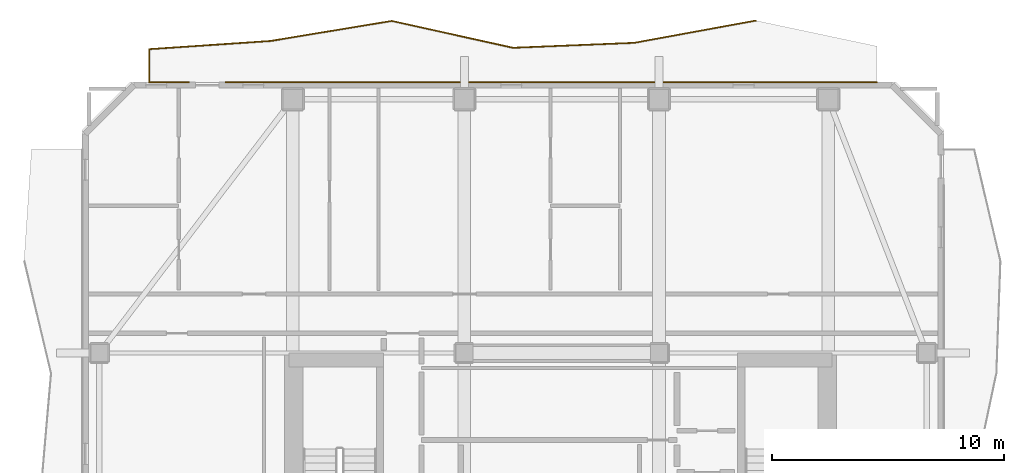
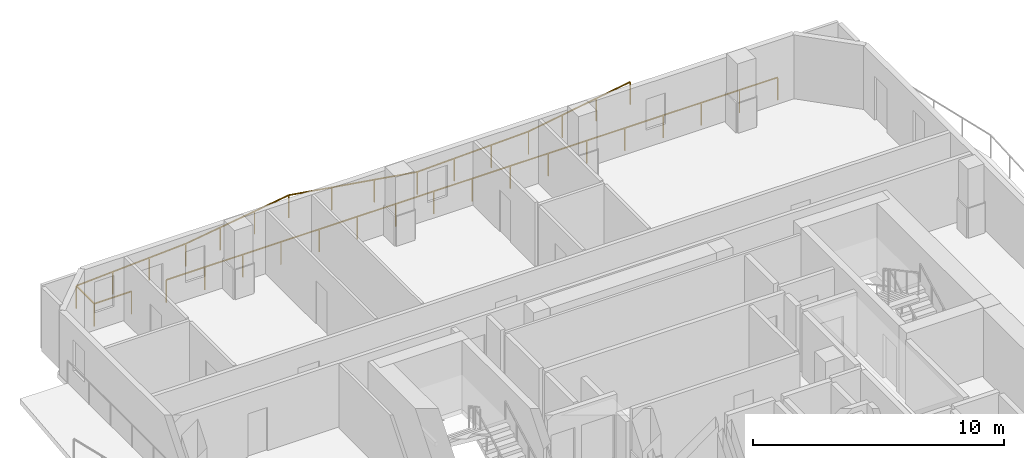
# One storey, part 10 of 10: 2 railings.
"""IFC4 building model written with IfcOpenShell, lengths in metres."""

from ifc_helpers import new_model, si_unit, direction, frame, origin, origin_2d, place, context, subcontext, project, spatial, rectangle, extrude, material, type_object, element, save


model = new_model("IFC4")

# Units and contexts
model_context = context("Model", 3, precision=1e-05, world=origin(), true_north=direction((0.0, 1.0)))
body_context = subcontext(model_context, "Body", "Model", "MODEL_VIEW")
ifc_project = project(units=[si_unit("LENGTHUNIT", "METRE"), si_unit("AREAUNIT", "SQUARE_METRE"), si_unit("VOLUMEUNIT", "CUBIC_METRE"), si_unit("PLANEANGLEUNIT", "RADIAN"), si_unit("MASSUNIT", "GRAM", prefix="KILO")], contexts=[model_context])

# Site, building, storey
site_placement = place(None, origin())
site = spatial("IfcSite", under=ifc_project, at=site_placement, CompositionType="ELEMENT")
building_placement = place(site_placement, origin())
building = spatial("IfcBuilding", under=site, at=building_placement, Name="Solanera Arch Residences", CompositionType="ELEMENT")
storey_placement = place(building_placement, frame((0.0, 0.0, 262.239990234375)))
storey = spatial("IfcBuildingStorey", under=building, at=storey_placement, Name="L76", CompositionType="ELEMENT", Elevation=262.239990234375)

# Railings
ifc_material = material(Name="Steel S355 (ASTM A992 / A572 Grade 50)", Category="steel")
railing_type = type_object("IfcRailingType", Name="Balustrade Railing BL-1100", PredefinedType="BALUSTRADE", material=ifc_material)
railing_1_placement = place(storey_placement, frame((33.366943359375, 53.7451171875, 0.0)))
element("IfcRailing", 1, at=railing_1_placement, inside=storey, type_object=railing_type, Name="L76 N Balcony Balustrade 1", PredefinedType="BALUSTRADE", context=body_context, shape_type="SweptSolid", body=[
    extrude(rectangle(XDim=0.048095703125, YDim=0.048095703125, at=origin_2d()), frame((0.0, 0.0, 1.09619140625), z_axis=(-0.983617135289, -0.180270161608, 0.0), x_axis=(0.180270161608, -0.983617135289, 0.0)), (0.0, 0.0, 1.0), 5.321044921875),
    extrude(rectangle(XDim=0.048095703125, YDim=0.048095703125, at=origin_2d()), frame((-5.23388671875, -0.959228515625, 1.09619140625), z_axis=(-0.999165958526, -0.040833654288, 0.0), x_axis=(0.040833654288, -0.999165958526, 0.0)), (0.0, 0.0, 1.0), 5.237548828125),
    extrude(rectangle(XDim=0.048095703125, YDim=0.048095703125, at=origin_2d()), frame((-10.467041015625, -1.173095703125, 1.09619140625), z_axis=(-0.976380671542, 0.216057363307, 0.0), x_axis=(-0.216057363307, -0.976380671542, 0.0)), (0.0, 0.0, 1.0), 5.359619140625),
    extrude(rectangle(XDim=0.048095703125, YDim=0.048095703125, at=origin_2d()), frame((-15.699951171875, -0.01513671875, 1.09619140625), z_axis=(-0.986616899293, -0.163055493712, 0.0), x_axis=(0.163055493712, -0.986616899293, 0.0)), (0.0, 0.0, 1.0), 5.304931640625),
    extrude(rectangle(XDim=0.048095703125, YDim=0.048095703125, at=origin_2d()), frame((-20.933837890625, -0.880126953125, 1.09619140625), z_axis=(-0.997732327149, -0.0673067854, 0.0), x_axis=(0.0673067854, -0.997732327149, 0.0)), (0.0, 0.0, 1.0), 5.2451171875),
    extrude(rectangle(XDim=0.048095703125, YDim=0.048095703125, at=origin_2d()), frame((-26.1669921875, -1.233154296875, 1.09619140625), z_axis=(0.0, -1.0, 0.0), x_axis=(1.0, 0.0, 0.0)), (0.0, 0.0, 1.0), 1.431884765625),
    extrude(rectangle(XDim=0.048095703125, YDim=0.048095703125, at=origin_2d()), frame((-26.1669921875, -2.6650390625, 1.09619140625), z_axis=(1.0, 0.0, 0.0), x_axis=(0.0, 1.0, 0.0)), (0.0, 0.0, 1.0), 1.7099609375),
    extrude(rectangle(XDim=0.0419921875, YDim=0.0419921875, at=origin_2d()), origin(), (0.0, 0.0, 1.0), 1.072021484375),
    extrude(rectangle(XDim=0.0419921875, YDim=0.0419921875, at=origin_2d()), frame((-1.74462890625, -0.31982421875, 0.0)), (0.0, 0.0, 1.0), 1.072021484375),
    extrude(rectangle(XDim=0.0419921875, YDim=0.0419921875, at=origin_2d()), frame((-3.4892578125, -0.639404296875, 0.0)), (0.0, 0.0, 1.0), 1.072021484375),
    extrude(rectangle(XDim=0.0419921875, YDim=0.0419921875, at=origin_2d()), frame((-5.23388671875, -0.959228515625, 0.0)), (0.0, 0.0, 1.0), 1.072021484375),
    extrude(rectangle(XDim=0.0419921875, YDim=0.0419921875, at=origin_2d()), frame((-6.978271484375, -1.030517578125, 0.0)), (0.0, 0.0, 1.0), 1.072021484375),
    extrude(rectangle(XDim=0.0419921875, YDim=0.0419921875, at=origin_2d()), frame((-8.72265625, -1.101806640625, 0.0)), (0.0, 0.0, 1.0), 1.072021484375),
    extrude(rectangle(XDim=0.0419921875, YDim=0.0419921875, at=origin_2d()), frame((-10.467041015625, -1.173095703125, 0.0)), (0.0, 0.0, 1.0), 1.072021484375),
    extrude(rectangle(XDim=0.0419921875, YDim=0.0419921875, at=origin_2d()), frame((-12.21142578125, -0.787109375, 0.0)), (0.0, 0.0, 1.0), 1.072021484375),
    extrude(rectangle(XDim=0.0419921875, YDim=0.0419921875, at=origin_2d()), frame((-13.95556640625, -0.401123046875, 0.0)), (0.0, 0.0, 1.0), 1.072021484375),
    extrude(rectangle(XDim=0.0419921875, YDim=0.0419921875, at=origin_2d()), frame((-15.699951171875, -0.01513671875, 0.0)), (0.0, 0.0, 1.0), 1.072021484375),
    extrude(rectangle(XDim=0.0419921875, YDim=0.0419921875, at=origin_2d()), frame((-17.444580078125, -0.303466796875, 0.0)), (0.0, 0.0, 1.0), 1.072021484375),
    extrude(rectangle(XDim=0.0419921875, YDim=0.0419921875, at=origin_2d()), frame((-19.189208984375, -0.591796875, 0.0)), (0.0, 0.0, 1.0), 1.072021484375),
    extrude(rectangle(XDim=0.0419921875, YDim=0.0419921875, at=origin_2d()), frame((-20.933837890625, -0.880126953125, 0.0)), (0.0, 0.0, 1.0), 1.072021484375),
    extrude(rectangle(XDim=0.0419921875, YDim=0.0419921875, at=origin_2d()), frame((-22.67822265625, -0.997802734375, 0.0)), (0.0, 0.0, 1.0), 1.072021484375),
    extrude(rectangle(XDim=0.0419921875, YDim=0.0419921875, at=origin_2d()), frame((-24.422607421875, -1.115478515625, 0.0)), (0.0, 0.0, 1.0), 1.072021484375),
    extrude(rectangle(XDim=0.0419921875, YDim=0.0419921875, at=origin_2d()), frame((-26.1669921875, -1.233154296875, 0.0)), (0.0, 0.0, 1.0), 1.072021484375),
    extrude(rectangle(XDim=0.0419921875, YDim=0.0419921875, at=origin_2d()), frame((-26.1669921875, -2.6650390625, 0.0)), (0.0, 0.0, 1.0), 1.072021484375),
    extrude(rectangle(XDim=0.0419921875, YDim=0.0419921875, at=origin_2d()), frame((-24.45703125, -2.6650390625, 0.0)), (0.0, 0.0, 1.0), 1.072021484375),
])
railing_2_placement = place(storey_placement, frame((10.510009765625, 51.080078125, 0.0)))
element("IfcRailing", 2, at=railing_2_placement, inside=storey, type_object=railing_type, Name="L76 N Balcony Balustrade 2", PredefinedType="BALUSTRADE", context=body_context, shape_type="SweptSolid", body=[
    extrude(rectangle(XDim=0.048095703125, YDim=0.048095703125, at=origin_2d()), frame((0.0, 0.0, 1.09619140625), z_axis=(1.0, 0.0, 0.0), x_axis=(0.0, 1.0, 0.0)), (0.0, 0.0, 1.0), 28.090087890625),
    extrude(rectangle(XDim=0.0419921875, YDim=0.0419921875, at=origin_2d()), origin(), (0.0, 0.0, 1.0), 1.072021484375),
    extrude(rectangle(XDim=0.0419921875, YDim=0.0419921875, at=origin_2d()), frame((1.755615234375, 0.0, 0.0)), (0.0, 0.0, 1.0), 1.072021484375),
    extrude(rectangle(XDim=0.0419921875, YDim=0.0419921875, at=origin_2d()), frame((3.51123046875, 0.0, 0.0)), (0.0, 0.0, 1.0), 1.072021484375),
    extrude(rectangle(XDim=0.0419921875, YDim=0.0419921875, at=origin_2d()), frame((5.266845703125, 0.0, 0.0)), (0.0, 0.0, 1.0), 1.072021484375),
    extrude(rectangle(XDim=0.0419921875, YDim=0.0419921875, at=origin_2d()), frame((7.0224609375, 0.0, 0.0)), (0.0, 0.0, 1.0), 1.072021484375),
    extrude(rectangle(XDim=0.0419921875, YDim=0.0419921875, at=origin_2d()), frame((8.778076171875, 0.0, 0.0)), (0.0, 0.0, 1.0), 1.072021484375),
    extrude(rectangle(XDim=0.0419921875, YDim=0.0419921875, at=origin_2d()), frame((10.53369140625, 0.0, 0.0)), (0.0, 0.0, 1.0), 1.072021484375),
    extrude(rectangle(XDim=0.0419921875, YDim=0.0419921875, at=origin_2d()), frame((12.289306640625, 0.0, 0.0)), (0.0, 0.0, 1.0), 1.072021484375),
    extrude(rectangle(XDim=0.0419921875, YDim=0.0419921875, at=origin_2d()), frame((14.044921875, 0.0, 0.0)), (0.0, 0.0, 1.0), 1.072021484375),
    extrude(rectangle(XDim=0.0419921875, YDim=0.0419921875, at=origin_2d()), frame((15.80078125, 0.0, 0.0)), (0.0, 0.0, 1.0), 1.072021484375),
    extrude(rectangle(XDim=0.0419921875, YDim=0.0419921875, at=origin_2d()), frame((17.556396484375, 0.0, 0.0)), (0.0, 0.0, 1.0), 1.072021484375),
    extrude(rectangle(XDim=0.0419921875, YDim=0.0419921875, at=origin_2d()), frame((19.31201171875, 0.0, 0.0)), (0.0, 0.0, 1.0), 1.072021484375),
    extrude(rectangle(XDim=0.0419921875, YDim=0.0419921875, at=origin_2d()), frame((21.067626953125, 0.0, 0.0)), (0.0, 0.0, 1.0), 1.072021484375),
    extrude(rectangle(XDim=0.0419921875, YDim=0.0419921875, at=origin_2d()), frame((22.8232421875, 0.0, 0.0)), (0.0, 0.0, 1.0), 1.072021484375),
    extrude(rectangle(XDim=0.0419921875, YDim=0.0419921875, at=origin_2d()), frame((24.578857421875, 0.0, 0.0)), (0.0, 0.0, 1.0), 1.072021484375),
    extrude(rectangle(XDim=0.0419921875, YDim=0.0419921875, at=origin_2d()), frame((26.33447265625, 0.0, 0.0)), (0.0, 0.0, 1.0), 1.072021484375),
    extrude(rectangle(XDim=0.0419921875, YDim=0.0419921875, at=origin_2d()), frame((28.090087890625, 0.0, 0.0)), (0.0, 0.0, 1.0), 1.072021484375),
])

save(model, "model.ifc")
